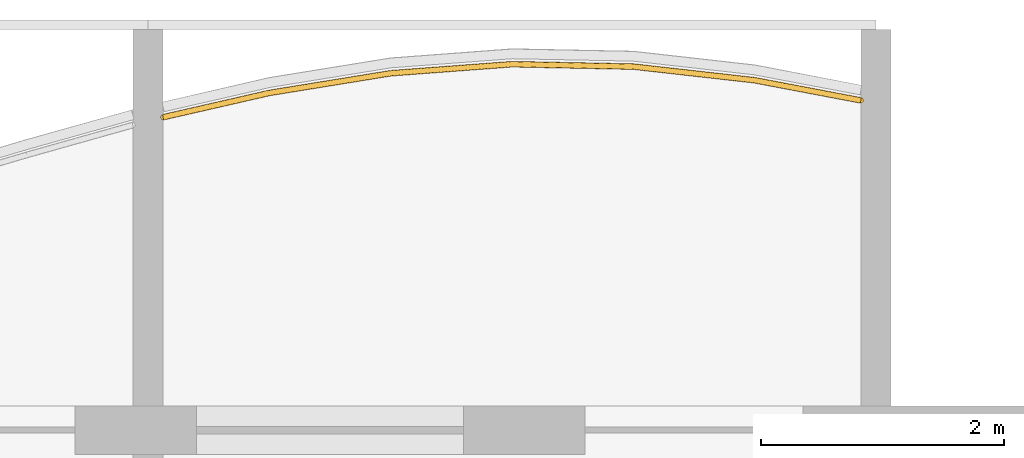
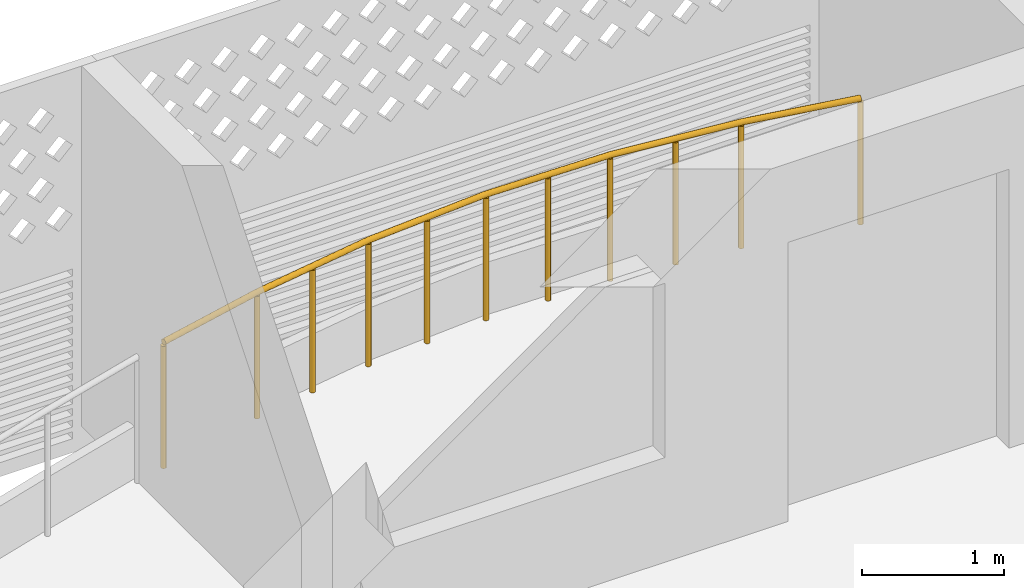
# One storey, part 25 of 26: 1 railing.
"""IFC4 building model written with IfcOpenShell, lengths in metres."""

from ifc_helpers import new_model, si_unit, direction, frame, origin, origin_2d, place, context, subcontext, project, spatial, circle, extrude, material, type_object, element, save


model = new_model("IFC4")

# Units and contexts
model_context = context("Model", 3, precision=1e-05, world=origin(), true_north=direction((0.0, 1.0)))
body_context = subcontext(model_context, "Body", "Model", "MODEL_VIEW")
ifc_project = project(units=[si_unit("LENGTHUNIT", "METRE"), si_unit("AREAUNIT", "SQUARE_METRE"), si_unit("VOLUMEUNIT", "CUBIC_METRE"), si_unit("PLANEANGLEUNIT", "RADIAN"), si_unit("MASSUNIT", "GRAM", prefix="KILO")], contexts=[model_context])

# Site, building, storey
site_placement = place(None, origin())
site = spatial("IfcSite", under=ifc_project, at=site_placement, CompositionType="ELEMENT")
building_placement = place(site_placement, origin())
building = spatial("IfcBuilding", under=site, at=building_placement, Name="Poui Terraces", CompositionType="ELEMENT")
storey_placement = place(building_placement, frame((0.0, 0.0, 228.0)))
storey = spatial("IfcBuildingStorey", under=building, at=storey_placement, Name="L63", CompositionType="ELEMENT", Elevation=228.0)

# Railing
ifc_material = material(Name="Painted steel fretwork", Category="steel")
railing_type = type_object("IfcRailingType", Name="BALCONY GUARD 1100", PredefinedType="GUARDRAIL", material=ifc_material)
railing_placement = place(storey_placement, frame((72.125, 43.77880859375, 0.0)))
element("IfcRailing", 1, at=railing_placement, inside=storey, type_object=railing_type, Name="BALCONY GUARD", PredefinedType="GUARDRAIL", context=body_context, shape_type="SweptSolid", body=[
    extrude(circle(Radius=0.02392578125, at=origin_2d()), frame((0.0, 0.0, 1.076171875), z_axis=(0.974811218774, 0.223031584653, 0.0), x_axis=(-0.223031584653, 0.974811218774, 0.0)), (0.0, 0.0, 1.0), 0.897705078125),
    extrude(circle(Radius=0.02392578125, at=origin_2d()), frame((0.875, 0.2001953125, 1.076171875), z_axis=(0.987113709708, 0.160020386535, 0.0), x_axis=(-0.160020386535, 0.987113709708, 0.0)), (0.0, 0.0, 1.0), 1.012939453125),
    extrude(circle(Radius=0.02392578125, at=origin_2d()), frame((1.875, 0.3623046875, 1.076171875), z_axis=(0.997221056601, 0.074499424639, 0.0), x_axis=(-0.074499424639, 0.997221056601, 0.0)), (0.0, 0.0, 1.0), 1.002685546875),
    extrude(circle(Radius=0.02392578125, at=origin_2d()), frame((2.875, 0.43701171875, 1.076171875), z_axis=(0.999804524294, -0.019771525017, 0.0), x_axis=(0.019771525017, 0.999804524294, 0.0)), (0.0, 0.0, 1.0), 1.000244140625),
    extrude(circle(Radius=0.02392578125, at=origin_2d()), frame((3.875, 0.417236328125, 1.076171875), z_axis=(0.993725924527, -0.111842688283, 0.0), x_axis=(0.111842688283, 0.993725924527, 0.0)), (0.0, 0.0, 1.0), 1.00634765625),
    extrude(circle(Radius=0.02392578125, at=origin_2d()), frame((4.875, 0.3046875, 1.076171875), z_axis=(0.982472677571, -0.186406646414, 0.0), x_axis=(0.186406646414, 0.982472677571, 0.0)), (0.0, 0.0, 1.0), 0.890625),
    extrude(circle(Radius=0.02099609375, at=origin_2d()), origin(), (0.0, 0.0, 1.0), 1.052001953125),
    extrude(circle(Radius=0.02099609375, at=origin_2d()), frame((0.875, 0.2001953125, 0.0)), (0.0, 0.0, 1.0), 1.052001953125),
    extrude(circle(Radius=0.02099609375, at=origin_2d()), frame((1.375, 0.28125, 0.0)), (0.0, 0.0, 1.0), 1.052001953125),
    extrude(circle(Radius=0.02099609375, at=origin_2d()), frame((1.875, 0.3623046875, 0.0)), (0.0, 0.0, 1.0), 1.052001953125),
    extrude(circle(Radius=0.02099609375, at=origin_2d()), frame((2.375, 0.399658203125, 0.0)), (0.0, 0.0, 1.0), 1.052001953125),
    extrude(circle(Radius=0.02099609375, at=origin_2d()), frame((2.875, 0.43701171875, 0.0)), (0.0, 0.0, 1.0), 1.052001953125),
    extrude(circle(Radius=0.02099609375, at=origin_2d()), frame((3.375, 0.42724609375, 0.0)), (0.0, 0.0, 1.0), 1.052001953125),
    extrude(circle(Radius=0.02099609375, at=origin_2d()), frame((3.875, 0.417236328125, 0.0)), (0.0, 0.0, 1.0), 1.052001953125),
    extrude(circle(Radius=0.02099609375, at=origin_2d()), frame((4.375, 0.36083984375, 0.0)), (0.0, 0.0, 1.0), 1.052001953125),
    extrude(circle(Radius=0.02099609375, at=origin_2d()), frame((4.875, 0.3046875, 0.0)), (0.0, 0.0, 1.0), 1.052001953125),
    extrude(circle(Radius=0.02099609375, at=origin_2d()), frame((5.75, 0.138671875, 0.0)), (0.0, 0.0, 1.0), 1.052001953125),
])

save(model, "model.ifc")
